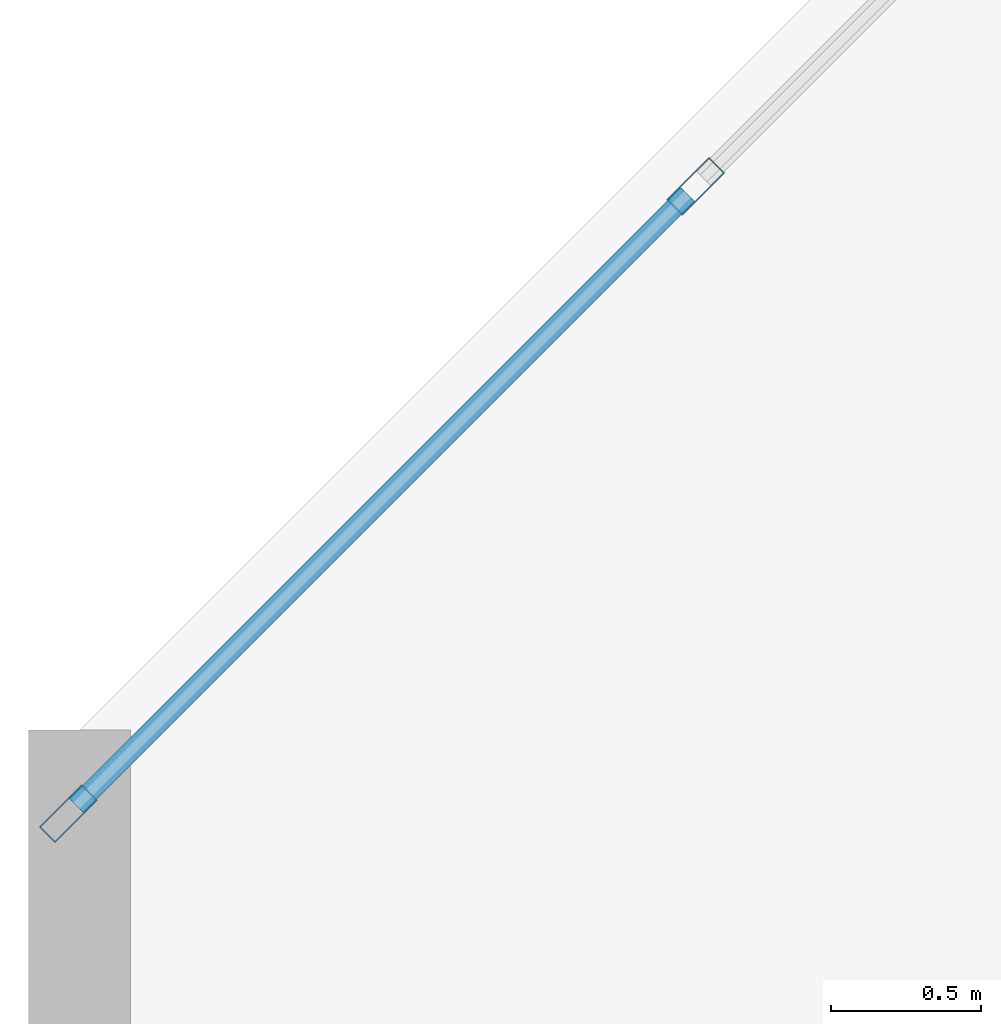
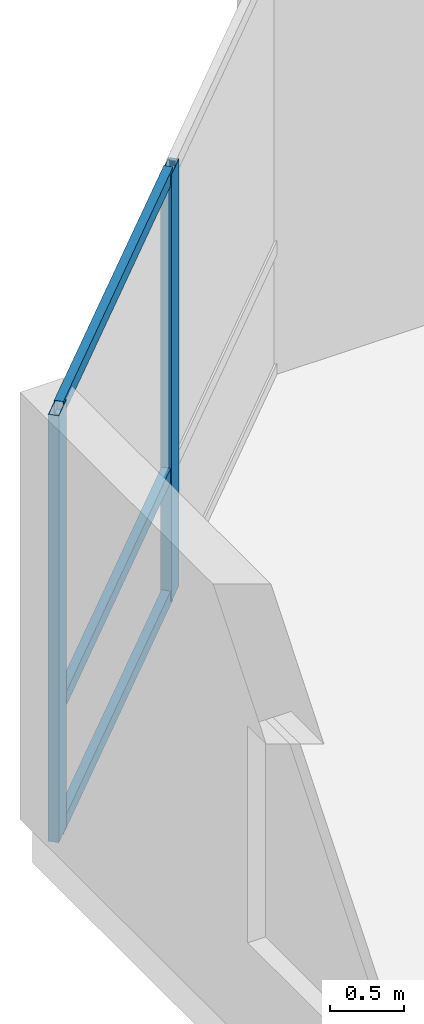
# One storey, part 3 of 12: 5 members, 1 element without a shape of its own.
"""IFC4 building model written with IfcOpenShell, lengths in metres."""

import ifcopenshell
import ifcopenshell.guid

model = None  # the IFC model being written
_history = None  # IfcOwnerHistory: only IFC2X3 demands one
_inside = {}  # id of a spatial element -> (the spatial element, [elements in it])
_under = {}  # id of a project, library or spatial element -> (it, [spatial elements below it])
_declared = {}  # id of a project -> (the project, [libraries it declares])
_typed = {}  # id of a type object -> (the type object, [elements of that type])
_made_of = {}  # id of a material, layer set ... -> (it, [elements and type objects made of it])


def new_model(schema):
    """Start an empty IFC model of exactly this schema.

    Asked for "IFC4X3", IfcOpenShell would pick the latest addendum, in which some entities
    have other attributes; the version numbers below select the first issue.
    IFC2X3 requires an IfcOwnerHistory on every rooted entity: one is made here for all.
    """
    global model, _history
    if schema == "IFC4X3":
        model = ifcopenshell.file(schema_version=(4, 3, 0, 0))
    else:
        model = ifcopenshell.file(schema=schema)
    _inside.clear()
    _under.clear()
    _declared.clear()
    _typed.clear()
    _made_of.clear()
    _history = None
    if model.schema == "IFC2X3":
        org = make("IfcOrganization", Name="unknown")
        user = make(
            "IfcPersonAndOrganization",
            ThePerson=make("IfcPerson", FamilyName="unknown"),
            TheOrganization=org,
        )
        app = make(
            "IfcApplication",
            ApplicationDeveloper=org,
            Version="unknown",
            ApplicationFullName="unknown",
            ApplicationIdentifier="unknown",
        )
        _history = make(
            "IfcOwnerHistory",
            OwningUser=user,
            OwningApplication=app,
            ChangeAction="ADDED",
            CreationDate=0,
        )
    return model


def make(cls, **values):
    """One entity of the class cls with the attributes given. An attribute that is None is left unset."""
    return model.create_entity(
        cls, **{name: value for name, value in values.items() if value is not None}
    )


def rooted(cls, **values):
    """An entity with a GlobalId (a new one), such as an element, a storey or a relation."""
    return make(cls, GlobalId=ifcopenshell.guid.new(), OwnerHistory=_history, **values)


def si_unit(unit_type, name, prefix=None):
    """IfcSIUnit, for example si_unit("LENGTHUNIT", "METRE", prefix="MILLI")."""
    return make("IfcSIUnit", UnitType=unit_type, Prefix=prefix, Name=name)


def assignment(units):
    """IfcUnitAssignment: the units of a project."""
    return None if units is None else make("IfcUnitAssignment", Units=units)


def point(xyz):
    """IfcCartesianPoint."""
    return None if xyz is None else make("IfcCartesianPoint", Coordinates=xyz)


def direction(xyz):
    """IfcDirection."""
    return None if xyz is None else make("IfcDirection", DirectionRatios=xyz)


def frame(location, z_axis=None, x_axis=None):
    """IfcAxis2Placement3D, a coordinate frame: its origin and axes. An axis left out is left unset."""
    return make(
        "IfcAxis2Placement3D",
        Location=point(location),
        Axis=direction(z_axis),
        RefDirection=direction(x_axis),
    )


def frame_2d(location, x_axis=None):
    """IfcAxis2Placement2D, a coordinate frame in the plane: its origin and x axis."""
    return make(
        "IfcAxis2Placement2D", Location=point(location), RefDirection=direction(x_axis)
    )


def origin():
    """The frame at (0, 0, 0) with its axes left unset."""
    return frame((0.0, 0.0, 0.0))


def origin_2d():
    """The frame at (0, 0) in the plane with its x axis left unset."""
    return frame_2d((0.0, 0.0))


def place(relative_to, where):
    """IfcLocalPlacement: puts the frame where relative to a parent placement (None: the world)."""
    return make(
        "IfcLocalPlacement", PlacementRelTo=relative_to, RelativePlacement=where
    )


def context(
    kind, dimensions, precision=None, world=None, true_north=None, identifier=None
):
    """IfcGeometricRepresentationContext, for example the 3D "Model" context."""
    return make(
        "IfcGeometricRepresentationContext",
        ContextIdentifier=identifier,
        ContextType=kind,
        CoordinateSpaceDimension=dimensions,
        Precision=precision,
        WorldCoordinateSystem=world,
        TrueNorth=true_north,
    )


def subcontext(parent, identifier, kind, view, scale=None):
    """IfcGeometricRepresentationSubContext, for example "Body" below "Model"."""
    return make(
        "IfcGeometricRepresentationSubContext",
        ContextIdentifier=identifier,
        ContextType=kind,
        ParentContext=parent,
        TargetScale=scale,
        TargetView=view,
    )


def project(units=None, contexts=None):
    """IfcProject with its units and contexts."""
    return rooted(
        "IfcProject",
        Name="project",
        RepresentationContexts=contexts,
        UnitsInContext=assignment(units),
    )


def spatial(cls, under=None, at=None, **own):
    """A site, building, storey or space (cls), placed at a placement, below another one or the project."""
    s = rooted(cls, ObjectPlacement=at, **own)
    if under is not None:
        _under.setdefault(under.id(), (under, []))[1].append(s)
    return s


def profile(cls, at=None, kind="AREA", **sizes):
    """A parametric profile (cls). Its sizes go by their IFC names, for example OverallWidth=200.0."""
    return make(cls, ProfileType=kind, Position=at, **sizes)


def hollow_rectangle(**sizes):
    """IfcRectangleHollowProfileDef."""
    return profile("IfcRectangleHollowProfileDef", **sizes)


def extrude(swept, where, along, depth):
    """IfcExtrudedAreaSolid: the profile swept, set in the frame where, extruded along a direction by depth."""
    return make(
        "IfcExtrudedAreaSolid",
        SweptArea=swept,
        Position=where,
        ExtrudedDirection=direction(along),
        Depth=depth,
    )


def shape(context_of_items, identifier, shape_type, items):
    """IfcShapeRepresentation: the items that make up one representation, for example the "Body"."""
    return make(
        "IfcShapeRepresentation",
        ContextOfItems=context_of_items,
        RepresentationIdentifier=identifier,
        RepresentationType=shape_type,
        Items=items,
    )


def material(Name=None, Category=None):
    """IfcMaterial."""
    return make("IfcMaterial", Name=Name, Category=Category)


def layer(
    of_material, thickness, ventilated=None, Name=None, Category=None, Priority=None
):
    """IfcMaterialLayer: one layer of a wall or slab, of a material (None: an air gap)."""
    return make(
        "IfcMaterialLayer",
        Material=of_material,
        LayerThickness=thickness,
        IsVentilated=ventilated,
        Name=Name,
        Category=Category,
        Priority=Priority,
    )


def layer_set(layers, Name=None):
    """IfcMaterialLayerSet."""
    return make("IfcMaterialLayerSet", MaterialLayers=layers, LayerSetName=Name)


def material_profile(
    of_material, cross_section, Name=None, Category=None, Priority=None
):
    """IfcMaterialProfile: a cross section and its material."""
    return make(
        "IfcMaterialProfile",
        Name=Name,
        Material=of_material,
        Profile=cross_section,
        Priority=Priority,
        Category=Category,
    )


def profile_set(profiles, Name=None, composite=None):
    """IfcMaterialProfileSet."""
    return make(
        "IfcMaterialProfileSet",
        Name=Name,
        MaterialProfiles=profiles,
        CompositeProfile=composite,
    )


def made_of(thing, what):
    """Note that an element or type object is made of a material, layer set ...; save() writes the relation."""
    if what is not None:
        _made_of.setdefault(what.id(), (what, []))[1].append(thing)
    return thing


def type_object(cls, material=None, **own):
    """A type object (cls), such as IfcWallType, which elements share."""
    return made_of(rooted(cls, **own), material)


def element(
    cls,
    number,
    at=None,
    inside=None,
    cuts=None,
    type_object=None,
    material=None,
    context=None,
    identifier="Body",
    shape_type=None,
    held_by="IfcProductDefinitionShape",
    body=None,
    shapes=None,
    **own,
):
    """One element of the class cls, such as IfcWall. Its Tag is "e" and its number.

    at: its placement. inside: the storey or other place that contains it. cuts: it is an
    opening in that element (IfcRelVoidsElement). A single representation is given by context,
    identifier, shape_type and body (its items); several are given by shapes. held_by: the class
    of the entity that holds the representations. save() writes the other relations.
    """
    e = rooted(cls, Tag="e%d" % number, ObjectPlacement=at, **own)
    if body is not None:
        shapes = [shape(context, identifier, shape_type, body)]
    if shapes is not None:
        e.Representation = make(held_by, Representations=shapes)
    if inside is not None:
        _inside.setdefault(inside.id(), (inside, []))[1].append(e)
    if cuts is not None:
        rooted(
            "IfcRelVoidsElement", RelatingBuildingElement=cuts, RelatedOpeningElement=e
        )
    if type_object is not None:
        _typed.setdefault(type_object.id(), (type_object, []))[1].append(e)
    return made_of(e, material)


def aggregate(whole, parts):
    """IfcRelAggregates: a whole, such as a stair, and the parts it consists of."""
    return rooted("IfcRelAggregates", RelatingObject=whole, RelatedObjects=parts)


def save(model, path):
    """Write the relations noted so far, then the file.

    IfcRelAggregates (storeys below a building ...), IfcRelContainedInSpatialStructure (elements
    in a storey), IfcRelDefinesByType, IfcRelAssociatesMaterial and IfcRelDeclares: one each for
    every whole, place, type object, material and project.
    """
    for whole, parts in _under.values():
        aggregate(whole, parts)
    for where, things in _inside.values():
        rooted(
            "IfcRelContainedInSpatialStructure",
            RelatedElements=things,
            RelatingStructure=where,
        )
    for kind, things in _typed.values():
        rooted("IfcRelDefinesByType", RelatedObjects=things, RelatingType=kind)
    for what, things in _made_of.values():
        rooted("IfcRelAssociatesMaterial", RelatedObjects=things, RelatingMaterial=what)
    for by, libraries in _declared.values():
        rooted("IfcRelDeclares", RelatingContext=by, RelatedDefinitions=libraries)
    model.write(path)


model = new_model("IFC4")

# Units and contexts
model_context = context("Model", 3, precision=1e-05, world=origin(), true_north=direction((0.0, 1.0)))
body_context = subcontext(model_context, "Body", "Model", "MODEL_VIEW")
ifc_project = project(units=[si_unit("LENGTHUNIT", "METRE"), si_unit("AREAUNIT", "SQUARE_METRE"), si_unit("VOLUMEUNIT", "CUBIC_METRE"), si_unit("PLANEANGLEUNIT", "RADIAN"), si_unit("MASSUNIT", "GRAM", prefix="KILO")], contexts=[model_context])

# Site, building, storey
site_placement = place(None, origin())
site = spatial("IfcSite", under=ifc_project, at=site_placement, CompositionType="ELEMENT")
building_placement = place(site_placement, origin())
building = spatial("IfcBuilding", under=site, at=building_placement, Name="Kestravale Grand Hotel", CompositionType="ELEMENT")
storey_placement = place(building_placement, frame((0.0, 0.0, 99.39990234375)))
storey = spatial("IfcBuildingStorey", under=building, at=storey_placement, Name="L24", CompositionType="ELEMENT", Elevation=99.39990234375)

# Curtain wall, members
ifc_material_1 = material(Name="Thermally broken champagne-bronze aluminium and low-E glazing", Category="aluminium")
ifc_layer = layer(ifc_material_1, 0.199951171875)
ifc_layer_set = layer_set([ifc_layer], Name="CW-Z2")
curtain_wall_type = type_object("IfcCurtainWallType", Name="CW-Z2", PredefinedType="NOTDEFINED", material=ifc_layer_set)
curtain_wall_placement = place(storey_placement, origin())
curtain_wall = element("IfcCurtainWall", 1, at=curtain_wall_placement, inside=storey, type_object=curtain_wall_type, Name="L24 unitised curtain wall 18", PredefinedType="NOTDEFINED")
ifc_material_2 = material(Name="Aluminium 6063-T6 anodised", Category="aluminium")
ifc_material_profile_1 = material_profile(ifc_material_2, hollow_rectangle(XDim=0.074951171875, YDim=0.199951171875, WallThickness=0.00390625, at=origin_2d()))
ifc_profile_set_1 = profile_set([ifc_material_profile_1], Name="Aluminium 6063-T6 anodised")
member_type_1 = type_object("IfcMemberType", Name="CW-MUL-200", PredefinedType="MULLION", material=ifc_profile_set_1)
member_1_placement = place(storey_placement, frame((6.22021484375, 42.3798828125, 0.0), z_axis=(0.0, 0.0, 1.0), x_axis=(0.707106781187, -0.707106781187, 0.0)))
member_1 = element("IfcMember", 2, at=member_1_placement, type_object=member_type_1, Name="CW-Z2 mullion 2", PredefinedType="MULLION", context=body_context, shape_type="SweptSolid", body=[
    extrude(hollow_rectangle(XDim=0.074951171875, YDim=0.199951171875, WallThickness=0.00390625, at=origin_2d()), origin(), (0.0, 0.0, 1.0), 3.5400390625),
])
member_2_placement = place(storey_placement, frame((4.132568359375, 40.292236328125, 0.0), z_axis=(0.0, 0.0, 1.0), x_axis=(0.707106781187, -0.707106781187, 0.0)))
member_2 = element("IfcMember", 3, at=member_2_placement, type_object=member_type_1, Name="CW-Z2 mullion 3", PredefinedType="MULLION", context=body_context, shape_type="SweptSolid", body=[
    extrude(hollow_rectangle(XDim=0.074951171875, YDim=0.199951171875, WallThickness=0.00390625, at=origin_2d()), origin(), (0.0, 0.0, 1.0), 3.5400390625),
])
ifc_material_3 = material(Name="Aluminium 6063-T6 anodised", Category="aluminium")
ifc_material_profile_2 = material_profile(ifc_material_3, hollow_rectangle(XDim=0.06494140625, YDim=0.114990234375, WallThickness=0.003173828125, at=origin_2d()))
ifc_profile_set_2 = profile_set([ifc_material_profile_2], Name="Aluminium 6063-T6 anodised")
member_type_2 = type_object("IfcMemberType", Name="CW-TRN-115", PredefinedType="USERDEFINED", material=ifc_profile_set_2)
member_3_placement = place(storey_placement, frame((6.193603515625, 42.353271484375, 0.03271484375), z_axis=(-0.707106781187, -0.707106781187, 0.0), x_axis=(0.707106781187, -0.707106781187, 0.0)))
member_3 = element("IfcMember", 4, at=member_3_placement, type_object=member_type_2, Name="CW-Z2 transom 2.1", ObjectType="TRANSOM", PredefinedType="USERDEFINED", context=body_context, shape_type="SweptSolid", body=[
    extrude(hollow_rectangle(XDim=0.06494140625, YDim=0.114990234375, WallThickness=0.003173828125, at=origin_2d()), origin(), (0.0, 0.0, 1.0), 2.87744140625),
])
member_4_placement = place(storey_placement, frame((6.193603515625, 42.353271484375, 1.050048828125), z_axis=(-0.707106781187, -0.707106781187, 0.0), x_axis=(0.707106781187, -0.707106781187, 0.0)))
member_4 = element("IfcMember", 5, at=member_4_placement, type_object=member_type_2, Name="CW-Z2 transom 2.2", ObjectType="TRANSOM", PredefinedType="USERDEFINED", context=body_context, shape_type="SweptSolid", body=[
    extrude(hollow_rectangle(XDim=0.06494140625, YDim=0.114990234375, WallThickness=0.003173828125, at=origin_2d()), origin(), (0.0, 0.0, 1.0), 2.87744140625),
])
member_5_placement = place(storey_placement, frame((6.193603515625, 42.353271484375, 3.507568359375), z_axis=(-0.707106781187, -0.707106781187, 0.0), x_axis=(0.707106781187, -0.707106781187, 0.0)))
member_5 = element("IfcMember", 6, at=member_5_placement, type_object=member_type_2, Name="CW-Z2 transom 2.3", ObjectType="TRANSOM", PredefinedType="USERDEFINED", context=body_context, shape_type="SweptSolid", body=[
    extrude(hollow_rectangle(XDim=0.06494140625, YDim=0.114990234375, WallThickness=0.003173828125, at=origin_2d()), origin(), (0.0, 0.0, 1.0), 2.87744140625),
])
aggregate(curtain_wall, [member_1, member_2, member_3, member_4, member_5])

save(model, "model.ifc")
